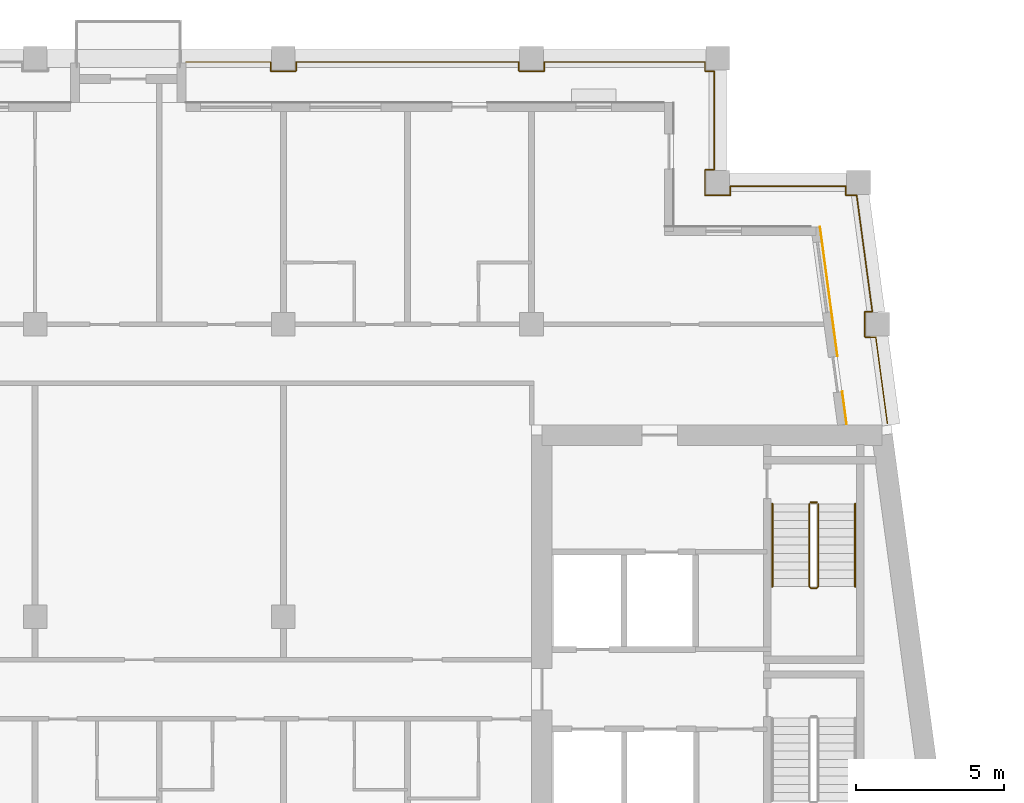
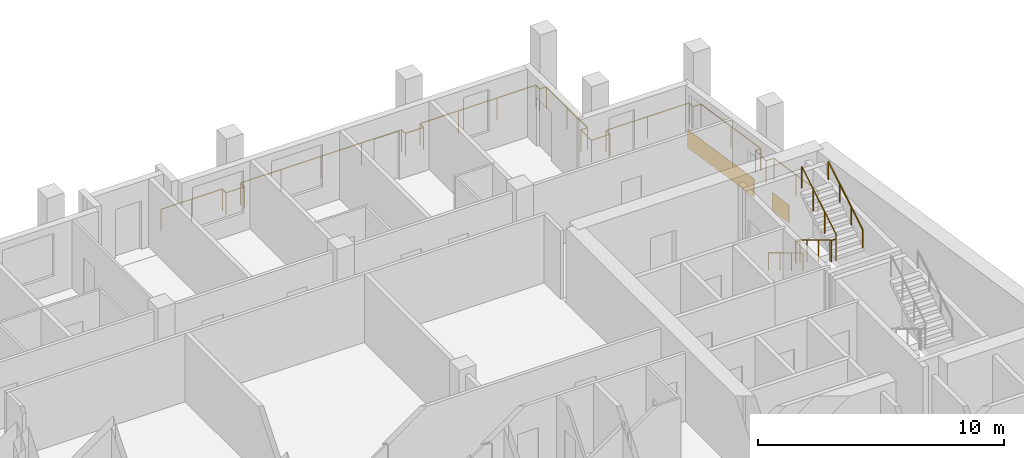
# One storey, part 12 of 14: 5 railings, 2 coverings.
"""IFC4 building model written with IfcOpenShell, lengths in metres."""

from ifc_helpers import new_model, si_unit, direction, frame, origin, origin_2d, place, context, subcontext, project, spatial, rectangle, circle, extrude, material, layer, layer_set, type_object, element, save


model = new_model("IFC4")

# Units and contexts
model_context = context("Model", 3, precision=1e-05, world=origin(), true_north=direction((0.0, 1.0)))
body_context = subcontext(model_context, "Body", "Model", "MODEL_VIEW")
ifc_project = project(units=[si_unit("LENGTHUNIT", "METRE"), si_unit("AREAUNIT", "SQUARE_METRE"), si_unit("VOLUMEUNIT", "CUBIC_METRE"), si_unit("PLANEANGLEUNIT", "RADIAN"), si_unit("MASSUNIT", "GRAM", prefix="KILO")], contexts=[model_context])

# Site, building, storey
site_placement = place(None, origin())
site = spatial("IfcSite", under=ifc_project, at=site_placement, CompositionType="ELEMENT")
building_placement = place(site_placement, origin())
building = spatial("IfcBuilding", under=site, at=building_placement, Name="Candeia Pilgrim Tower and Theatre", CompositionType="ELEMENT")
storey_placement = place(building_placement, frame((0.0, 0.0, 273.800048828125)))
storey = spatial("IfcBuildingStorey", under=building, at=storey_placement, Name="L66", CompositionType="ELEMENT", Elevation=273.800048828125)

# Railing
ifc_material_1 = material(Name="Stainless steel balustrade", Category="steel")
railing_type_1 = type_object("IfcRailingType", Name="G1 loggia guard 1100", PredefinedType="GUARDRAIL", material=ifc_material_1)
railing_1_placement = place(storey_placement, frame((114.300048828125, 144.679931640625, 0.0)))
element("IfcRailing", 1, at=railing_1_placement, inside=storey, type_object=railing_type_1, Name="Guard L66.2", PredefinedType="GUARDRAIL", context=body_context, shape_type="SweptSolid", body=[
    extrude(circle(Radius=0.02392578125, at=origin_2d()), frame((0.0, 0.0, 1.076171875), z_axis=(1.0, 0.0, 0.0), x_axis=(0.0, 1.0, 0.0)), (0.0, 0.0, 1.0), 2.869873046875),
    extrude(circle(Radius=0.02392578125, at=origin_2d()), frame((2.869873046875, 0.0, 1.076171875), z_axis=(0.0, -1.0, 0.0), x_axis=(1.0, 0.0, 0.0)), (0.0, 0.0, 1.0), 0.309814453125),
    extrude(circle(Radius=0.02392578125, at=origin_2d()), frame((2.869873046875, -0.309814453125, 1.076171875), z_axis=(1.0, 0.0, 0.0), x_axis=(0.0, 1.0, 0.0)), (0.0, 0.0, 1.0), 0.860107421875),
    extrude(circle(Radius=0.02392578125, at=origin_2d()), frame((3.72998046875, -0.309814453125, 1.076171875), z_axis=(0.0, 1.0, 0.0), x_axis=(-1.0, 0.0, 0.0)), (0.0, 0.0, 1.0), 0.309814453125),
    extrude(circle(Radius=0.02392578125, at=origin_2d()), frame((3.72998046875, 0.0, 1.076171875), z_axis=(1.0, 0.0, 0.0), x_axis=(0.0, 1.0, 0.0)), (0.0, 0.0, 1.0), 7.5400390625),
    extrude(circle(Radius=0.02392578125, at=origin_2d()), frame((11.27001953125, 0.0, 1.076171875), z_axis=(0.0, -1.0, 0.0), x_axis=(1.0, 0.0, 0.0)), (0.0, 0.0, 1.0), 0.309814453125),
    extrude(circle(Radius=0.02392578125, at=origin_2d()), frame((11.27001953125, -0.309814453125, 1.076171875), z_axis=(1.0, 0.0, 0.0), x_axis=(0.0, 1.0, 0.0)), (0.0, 0.0, 1.0), 0.85986328125),
    extrude(circle(Radius=0.02392578125, at=origin_2d()), frame((12.1298828125, -0.309814453125, 1.076171875), z_axis=(0.0, 1.0, 0.0), x_axis=(-1.0, 0.0, 0.0)), (0.0, 0.0, 1.0), 0.309814453125),
    extrude(circle(Radius=0.02392578125, at=origin_2d()), frame((12.1298828125, 0.0, 1.076171875), z_axis=(1.0, 0.0, 0.0), x_axis=(0.0, 1.0, 0.0)), (0.0, 0.0, 1.0), 5.440185546875),
    extrude(circle(Radius=0.02392578125, at=origin_2d()), frame((17.570068359375, 0.0, 1.076171875), z_axis=(0.0, -1.0, 0.0), x_axis=(1.0, 0.0, 0.0)), (0.0, 0.0, 1.0), 0.309814453125),
    extrude(circle(Radius=0.02392578125, at=origin_2d()), frame((17.570068359375, -0.309814453125, 1.076171875), z_axis=(1.0, 0.0, 0.0), x_axis=(0.0, 1.0, 0.0)), (0.0, 0.0, 1.0), 0.309814453125),
    extrude(circle(Radius=0.02392578125, at=origin_2d()), frame((17.8798828125, -0.309814453125, 1.076171875), z_axis=(0.0, -1.0, 0.0), x_axis=(1.0, 0.0, 0.0)), (0.0, 0.0, 1.0), 3.340087890625),
    extrude(circle(Radius=0.02392578125, at=origin_2d()), frame((17.8798828125, -3.64990234375, 1.076171875), z_axis=(-1.0, 0.0, 0.0), x_axis=(0.0, -1.0, 0.0)), (0.0, 0.0, 1.0), 0.309814453125),
    extrude(circle(Radius=0.02392578125, at=origin_2d()), frame((17.570068359375, -3.64990234375, 1.076171875), z_axis=(0.0, -1.0, 0.0), x_axis=(1.0, 0.0, 0.0)), (0.0, 0.0, 1.0), 0.860107421875),
    extrude(circle(Radius=0.02392578125, at=origin_2d()), frame((17.570068359375, -4.510009765625, 1.076171875), z_axis=(1.0, 0.0, 0.0), x_axis=(0.0, 1.0, 0.0)), (0.0, 0.0, 1.0), 0.85986328125),
    extrude(circle(Radius=0.02392578125, at=origin_2d()), frame((18.429931640625, -4.510009765625, 1.076171875), z_axis=(0.0, 1.0, 0.0), x_axis=(-1.0, 0.0, 0.0)), (0.0, 0.0, 1.0), 0.31005859375),
    extrude(circle(Radius=0.02392578125, at=origin_2d()), frame((18.429931640625, -4.199951171875, 1.076171875), z_axis=(1.0, 0.0, 0.0), x_axis=(0.0, 1.0, 0.0)), (0.0, 0.0, 1.0), 3.905517578125),
    extrude(circle(Radius=0.02392578125, at=origin_2d()), frame((22.33544921875, -4.199951171875, 1.076171875), z_axis=(0.0, -1.0, 0.0), x_axis=(1.0, 0.0, 0.0)), (0.0, 0.0, 1.0), 0.31005859375),
    extrude(circle(Radius=0.02392578125, at=origin_2d()), frame((22.33544921875, -4.510009765625, 1.076171875), z_axis=(1.0, 0.0, 0.0), x_axis=(0.0, 1.0, 0.0)), (0.0, 0.0, 1.0), 0.36669921875),
    extrude(circle(Radius=0.02392578125, at=origin_2d()), frame((22.7021484375, -4.510009765625, 1.076171875), z_axis=(0.133386492616, -0.991064096609, 0.0), x_axis=(0.991064096609, 0.133386492616, 0.0)), (0.0, 0.0, 1.0), 3.9755859375),
    extrude(circle(Radius=0.02392578125, at=origin_2d()), frame((23.232421875, -8.449951171875, 1.076171875), z_axis=(-1.0, 0.0, 0.0), x_axis=(0.0, -1.0, 0.0)), (0.0, 0.0, 1.0), 0.2509765625),
    extrude(circle(Radius=0.02392578125, at=origin_2d()), frame((22.9814453125, -8.449951171875, 1.076171875), z_axis=(0.0, -1.0, 0.0), x_axis=(1.0, 0.0, 0.0)), (0.0, 0.0, 1.0), 0.85986328125),
    extrude(circle(Radius=0.02392578125, at=origin_2d()), frame((22.9814453125, -9.309814453125, 1.076171875), z_axis=(1.0, 0.0, 0.0), x_axis=(0.0, 1.0, 0.0)), (0.0, 0.0, 1.0), 0.366943359375),
    extrude(circle(Radius=0.02392578125, at=origin_2d()), frame((23.348388671875, -9.309814453125, 1.076171875), z_axis=(0.133401056725, -0.991062136329, 0.0), x_axis=(0.991062136329, 0.133401056725, 0.0)), (0.0, 0.0, 1.0), 2.946533203125),
    extrude(circle(Radius=0.02099609375, at=origin_2d()), origin(), (0.0, 0.0, 1.0), 1.052001953125),
    extrude(circle(Radius=0.02099609375, at=origin_2d()), frame((1.43505859375, 0.0, 0.0)), (0.0, 0.0, 1.0), 1.052001953125),
    extrude(circle(Radius=0.02099609375, at=origin_2d()), frame((2.869873046875, 0.0, 0.0)), (0.0, 0.0, 1.0), 1.052001953125),
    extrude(circle(Radius=0.02099609375, at=origin_2d()), frame((2.869873046875, -0.309814453125, 0.0)), (0.0, 0.0, 1.0), 1.052001953125),
    extrude(circle(Radius=0.02099609375, at=origin_2d()), frame((3.72998046875, -0.309814453125, 0.0)), (0.0, 0.0, 1.0), 1.052001953125),
    extrude(circle(Radius=0.02099609375, at=origin_2d()), frame((3.72998046875, 0.0, 0.0)), (0.0, 0.0, 1.0), 1.052001953125),
    extrude(circle(Radius=0.02099609375, at=origin_2d()), frame((5.614990234375, 0.0, 0.0)), (0.0, 0.0, 1.0), 1.052001953125),
    extrude(circle(Radius=0.02099609375, at=origin_2d()), frame((7.5, 0.0, 0.0)), (0.0, 0.0, 1.0), 1.052001953125),
    extrude(circle(Radius=0.02099609375, at=origin_2d()), frame((9.385009765625, 0.0, 0.0)), (0.0, 0.0, 1.0), 1.052001953125),
    extrude(circle(Radius=0.02099609375, at=origin_2d()), frame((11.27001953125, 0.0, 0.0)), (0.0, 0.0, 1.0), 1.052001953125),
    extrude(circle(Radius=0.02099609375, at=origin_2d()), frame((11.27001953125, -0.309814453125, 0.0)), (0.0, 0.0, 1.0), 1.052001953125),
    extrude(circle(Radius=0.02099609375, at=origin_2d()), frame((12.1298828125, -0.309814453125, 0.0)), (0.0, 0.0, 1.0), 1.052001953125),
    extrude(circle(Radius=0.02099609375, at=origin_2d()), frame((12.1298828125, 0.0, 0.0)), (0.0, 0.0, 1.0), 1.052001953125),
    extrude(circle(Radius=0.02099609375, at=origin_2d()), frame((13.943359375, 0.0, 0.0)), (0.0, 0.0, 1.0), 1.052001953125),
    extrude(circle(Radius=0.02099609375, at=origin_2d()), frame((15.756591796875, 0.0, 0.0)), (0.0, 0.0, 1.0), 1.052001953125),
    extrude(circle(Radius=0.02099609375, at=origin_2d()), frame((17.570068359375, 0.0, 0.0)), (0.0, 0.0, 1.0), 1.052001953125),
    extrude(circle(Radius=0.02099609375, at=origin_2d()), frame((17.570068359375, -0.309814453125, 0.0)), (0.0, 0.0, 1.0), 1.052001953125),
    extrude(circle(Radius=0.02099609375, at=origin_2d()), frame((17.8798828125, -0.309814453125, 0.0)), (0.0, 0.0, 1.0), 1.052001953125),
    extrude(circle(Radius=0.02099609375, at=origin_2d()), frame((17.8798828125, -1.97998046875, 0.0)), (0.0, 0.0, 1.0), 1.052001953125),
    extrude(circle(Radius=0.02099609375, at=origin_2d()), frame((17.8798828125, -3.64990234375, 0.0)), (0.0, 0.0, 1.0), 1.052001953125),
    extrude(circle(Radius=0.02099609375, at=origin_2d()), frame((17.570068359375, -3.64990234375, 0.0)), (0.0, 0.0, 1.0), 1.052001953125),
    extrude(circle(Radius=0.02099609375, at=origin_2d()), frame((17.570068359375, -4.510009765625, 0.0)), (0.0, 0.0, 1.0), 1.052001953125),
    extrude(circle(Radius=0.02099609375, at=origin_2d()), frame((18.429931640625, -4.510009765625, 0.0)), (0.0, 0.0, 1.0), 1.052001953125),
    extrude(circle(Radius=0.02099609375, at=origin_2d()), frame((18.429931640625, -4.199951171875, 0.0)), (0.0, 0.0, 1.0), 1.052001953125),
    extrude(circle(Radius=0.02099609375, at=origin_2d()), frame((20.3828125, -4.199951171875, 0.0)), (0.0, 0.0, 1.0), 1.052001953125),
    extrude(circle(Radius=0.02099609375, at=origin_2d()), frame((22.33544921875, -4.199951171875, 0.0)), (0.0, 0.0, 1.0), 1.052001953125),
    extrude(circle(Radius=0.02099609375, at=origin_2d()), frame((22.33544921875, -4.510009765625, 0.0)), (0.0, 0.0, 1.0), 1.052001953125),
    extrude(circle(Radius=0.02099609375, at=origin_2d()), frame((22.7021484375, -4.510009765625, 0.0)), (0.0, 0.0, 1.0), 1.052001953125),
    extrude(circle(Radius=0.02099609375, at=origin_2d()), frame((22.96728515625, -6.47998046875, 0.0)), (0.0, 0.0, 1.0), 1.052001953125),
    extrude(circle(Radius=0.02099609375, at=origin_2d()), frame((23.232421875, -8.449951171875, 0.0)), (0.0, 0.0, 1.0), 1.052001953125),
    extrude(circle(Radius=0.02099609375, at=origin_2d()), frame((22.9814453125, -8.449951171875, 0.0)), (0.0, 0.0, 1.0), 1.052001953125),
    extrude(circle(Radius=0.02099609375, at=origin_2d()), frame((22.9814453125, -9.309814453125, 0.0)), (0.0, 0.0, 1.0), 1.052001953125),
    extrude(circle(Radius=0.02099609375, at=origin_2d()), frame((23.348388671875, -9.309814453125, 0.0)), (0.0, 0.0, 1.0), 1.052001953125),
    extrude(circle(Radius=0.02099609375, at=origin_2d()), frame((23.544921875, -10.77001953125, 0.0)), (0.0, 0.0, 1.0), 1.052001953125),
    extrude(circle(Radius=0.02099609375, at=origin_2d()), frame((23.741455078125, -12.22998046875, 0.0)), (0.0, 0.0, 1.0), 1.052001953125),
])

# Coverings
ifc_material_2 = material(Name="Glazed ceramic tile bottle green")
ifc_layer = layer(ifc_material_2, 0.02001953125)
ifc_layer_set = layer_set([ifc_layer], Name="Glazed ceramic tile bottle green")
covering_type = type_object("IfcCoveringType", Name="Glazed ceramic tile bottle green", PredefinedType="CLADDING", material=ifc_layer_set)
covering_1_placement = place(storey_placement, frame((136.588623046875, 132.97412109375, 0.0), z_axis=(0.0, 0.0, 1.0), x_axis=(-0.133412012145, 0.991060661622, 0.0)))
element("IfcCovering", 2, at=covering_1_placement, inside=storey, type_object=covering_type, Name="Tile cladding bottle green L66", PredefinedType="CLADDING", context=body_context, shape_type="SweptSolid", body=[
    extrude(rectangle(XDim=1.115234375, YDim=0.02001953125, at=origin_2d()), origin(), (0.0, 0.0, 1.0), 0.89990234375),
])
covering_2_placement = place(storey_placement, frame((136.058837890625, 136.90869140625, 0.0), z_axis=(0.0, 0.0, 1.0), x_axis=(-0.133412012145, 0.991060661622, 0.0)))
element("IfcCovering", 3, at=covering_2_placement, inside=storey, type_object=covering_type, Name="Tile cladding bottle green L66", PredefinedType="CLADDING", context=body_context, shape_type="SweptSolid", body=[
    extrude(rectangle(XDim=4.4248046875, YDim=0.02001953125, at=origin_2d()), origin(), (0.0, 0.0, 1.0), 0.89990234375),
])

# Railings
railing_type_2 = type_object("IfcRailingType", Name="RL-GUARD-1100", PredefinedType="GUARDRAIL", material=ifc_material_1)
railing_2_placement = place(storey_placement, frame((135.39794921875, 129.72509765625, 0.168212890625)))
element("IfcRailing", 4, at=railing_2_placement, inside=storey, type_object=railing_type_2, Name="L66 ST4 stair guard 1", PredefinedType="GUARDRAIL", context=body_context, shape_type="SweptSolid", body=[
    extrude(circle(Radius=0.02392578125, at=origin_2d()), frame((0.0, 0.0, 1.076171875), z_axis=(0.0, -0.857275202839, 0.514858452973), x_axis=(1.0, 0.0, 0.0)), (0.0, 0.0, 1.0), 3.26611328125),
    extrude(circle(Radius=0.02392578125, at=origin_2d()), frame((0.0, -2.800048828125, 2.7578125), z_axis=(0.707106781187, -0.707106781187, 0.0), x_axis=(0.707106781187, 0.707106781187, 0.0)), (0.0, 0.0, 1.0), 0.07080078125),
    extrude(circle(Radius=0.02392578125, at=origin_2d()), frame((0.050048828125, -2.85009765625, 2.7578125), z_axis=(1.0, 0.0, 0.0), x_axis=(0.0, 1.0, 0.0)), (0.0, 0.0, 1.0), 0.199951171875),
    extrude(circle(Radius=0.02392578125, at=origin_2d()), frame((0.25, -2.85009765625, 2.7578125), z_axis=(0.274243871929, 0.274243871929, 0.92172696468), x_axis=(-0.707106781187, 0.707106781187, 0.0)), (0.0, 0.0, 1.0), 0.1826171875),
    extrude(circle(Radius=0.02392578125, at=origin_2d()), frame((0.300048828125, -2.800048828125, 2.92578125), z_axis=(0.0, 0.857242210791, 0.514913383045), x_axis=(-1.0, 0.0, 0.0)), (0.0, 0.0, 1.0), 3.266357421875),
    extrude(circle(Radius=0.02099609375, at=origin_2d()), origin(), (0.0, 0.0, 1.0), 1.052001953125),
    extrude(circle(Radius=0.02099609375, at=origin_2d()), frame((0.0, -0.933349609375, 0.560546875)), (0.0, 0.0, 1.0), 1.052001953125),
    extrude(circle(Radius=0.02099609375, at=origin_2d()), frame((0.0, -1.86669921875, 1.12109375)), (0.0, 0.0, 1.0), 1.052001953125),
    extrude(circle(Radius=0.02099609375, at=origin_2d()), frame((0.0, -2.800048828125, 1.681640625)), (0.0, 0.0, 1.0), 1.052001953125),
    extrude(circle(Radius=0.02099609375, at=origin_2d()), frame((0.050048828125, -2.85009765625, 1.681640625)), (0.0, 0.0, 1.0), 1.052001953125),
    extrude(circle(Radius=0.02099609375, at=origin_2d()), frame((0.25, -2.85009765625, 1.681640625)), (0.0, 0.0, 1.0), 1.052001953125),
    extrude(circle(Radius=0.02099609375, at=origin_2d()), frame((0.300048828125, -2.800048828125, 1.849853515625)), (0.0, 0.0, 1.0), 1.052001953125),
    extrude(circle(Radius=0.02099609375, at=origin_2d()), frame((0.300048828125, -1.86669921875, 2.410400390625)), (0.0, 0.0, 1.0), 1.052001953125),
    extrude(circle(Radius=0.02099609375, at=origin_2d()), frame((0.300048828125, -0.933349609375, 2.97119140625)), (0.0, 0.0, 1.0), 1.052001953125),
    extrude(circle(Radius=0.02099609375, at=origin_2d()), frame((0.300048828125, 0.0, 3.53173828125)), (0.0, 0.0, 1.0), 1.052001953125),
])
railing_3_placement = place(storey_placement, frame((135.447998046875, 129.77490234375, 0.0)))
element("IfcRailing", 5, at=railing_3_placement, inside=storey, type_object=railing_type_2, Name="L66 ST4 stair guard 2", PredefinedType="GUARDRAIL", context=body_context, shape_type="SweptSolid", body=[
    extrude(circle(Radius=0.02392578125, at=origin_2d()), frame((0.0, 0.0, 1.076171875), z_axis=(1.0, 0.0, 0.0), x_axis=(0.0, 1.0, 0.0)), (0.0, 0.0, 1.0), 0.199951171875),
    extrude(circle(Radius=0.02099609375, at=origin_2d()), origin(), (0.0, 0.0, 1.0), 1.052001953125),
    extrude(circle(Radius=0.02099609375, at=origin_2d()), frame((0.199951171875, 0.0, 0.0)), (0.0, 0.0, 1.0), 1.052001953125),
])
ifc_material_3 = material(Name="Stainless steel handrail", Category="steel")
railing_type_3 = type_object("IfcRailingType", Name="RL-HANDRAIL-900", PredefinedType="HANDRAIL", material=ifc_material_3)
railing_4_placement = place(storey_placement, frame((134.14794921875, 129.72509765625, 0.168212890625)))
element("IfcRailing", 6, at=railing_4_placement, inside=storey, type_object=railing_type_3, Name="L66 ST4 stair handrail 1", PredefinedType="HANDRAIL", context=body_context, shape_type="SweptSolid", body=[
    extrude(circle(Radius=0.02392578125, at=origin_2d()), frame((0.0, 0.0, 0.8759765625), z_axis=(0.0, -0.857275202839, 0.514858452973), x_axis=(1.0, 0.0, 0.0)), (0.0, 0.0, 1.0), 3.26611328125),
    extrude(circle(Radius=0.02099609375, at=origin_2d()), origin(), (0.0, 0.0, 1.0), 0.851806640625),
    extrude(circle(Radius=0.02099609375, at=origin_2d()), frame((0.0, -0.933349609375, 0.560546875)), (0.0, 0.0, 1.0), 0.851806640625),
    extrude(circle(Radius=0.02099609375, at=origin_2d()), frame((0.0, -1.86669921875, 1.12109375)), (0.0, 0.0, 1.0), 0.851806640625),
    extrude(circle(Radius=0.02099609375, at=origin_2d()), frame((0.0, -2.800048828125, 1.681640625)), (0.0, 0.0, 1.0), 0.851806640625),
])
railing_5_placement = place(storey_placement, frame((136.947998046875, 126.925048828125, 2.01806640625)))
element("IfcRailing", 7, at=railing_5_placement, inside=storey, type_object=railing_type_3, Name="L66 ST4 stair handrail 2", PredefinedType="HANDRAIL", context=body_context, shape_type="SweptSolid", body=[
    extrude(circle(Radius=0.02392578125, at=origin_2d()), frame((0.0, 0.0, 0.8759765625), z_axis=(0.0, 0.857242210791, 0.514913383045), x_axis=(-1.0, 0.0, 0.0)), (0.0, 0.0, 1.0), 3.266357421875),
    extrude(circle(Radius=0.02099609375, at=origin_2d()), origin(), (0.0, 0.0, 1.0), 0.851806640625),
    extrude(circle(Radius=0.02099609375, at=origin_2d()), frame((0.0, 0.933349609375, 0.560546875)), (0.0, 0.0, 1.0), 0.851806640625),
    extrude(circle(Radius=0.02099609375, at=origin_2d()), frame((0.0, 1.86669921875, 1.121337890625)), (0.0, 0.0, 1.0), 0.851806640625),
    extrude(circle(Radius=0.02099609375, at=origin_2d()), frame((0.0, 2.800048828125, 1.681884765625)), (0.0, 0.0, 1.0), 0.851806640625),
])

save(model, "model.ifc")
